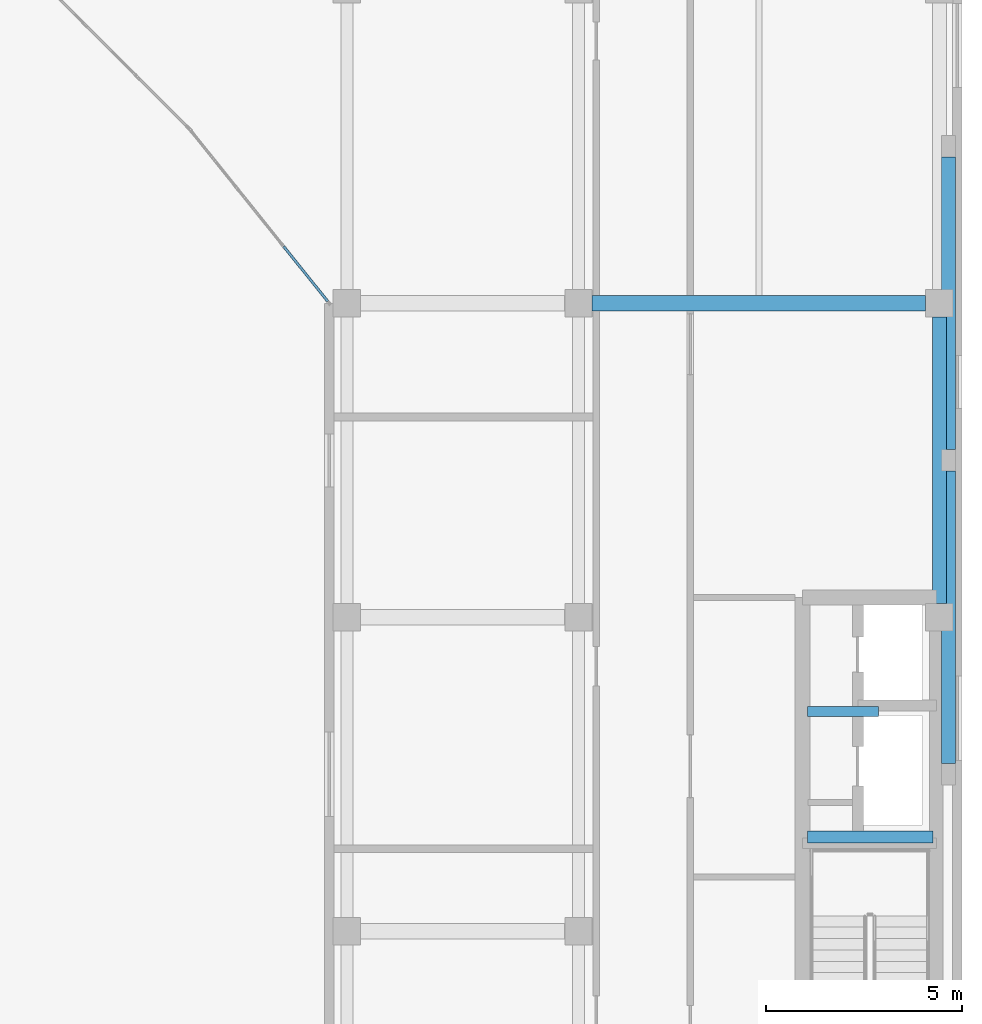
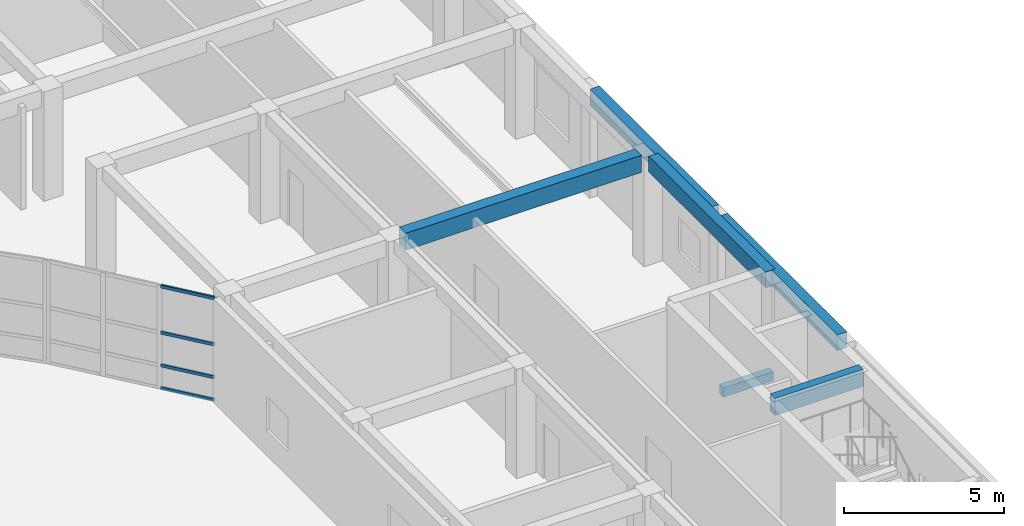
# One storey, part 54 of 114: 6 beams, 4 members, 1 element without a shape of its own.
"""IFC4 building model written with IfcOpenShell, lengths in metres."""

from ifc_helpers import new_model, si_unit, direction, frame, origin, origin_2d, place, context, subcontext, project, spatial, rectangle, hollow_rectangle, extrude, material, layer, layer_set, material_profile, profile_set, type_object, element, aggregate, save


model = new_model("IFC4")

# Units and contexts
model_context = context("Model", 3, precision=1e-05, world=origin(), true_north=direction((0.0, 1.0)))
body_context = subcontext(model_context, "Body", "Model", "MODEL_VIEW")
ifc_project = project(units=[si_unit("LENGTHUNIT", "METRE"), si_unit("AREAUNIT", "SQUARE_METRE"), si_unit("VOLUMEUNIT", "CUBIC_METRE"), si_unit("PLANEANGLEUNIT", "RADIAN"), si_unit("MASSUNIT", "GRAM", prefix="KILO")], contexts=[model_context])

# Site, building, storey
site_placement = place(None, origin())
site = spatial("IfcSite", under=ifc_project, at=site_placement, CompositionType="ELEMENT")
building_placement = place(site_placement, origin())
building = spatial("IfcBuilding", under=site, at=building_placement, Name="Keldmere Railside Commons", CompositionType="ELEMENT")
storey_placement = place(building_placement, origin())
storey = spatial("IfcBuildingStorey", under=building, at=storey_placement, Name="L00", CompositionType="ELEMENT", Elevation=0.0)

# Beams
ifc_material_1 = material(Name="Concrete H-35 (C35/45)", Category="concrete")
ifc_material_profile_1 = material_profile(ifc_material_1, rectangle(XDim=0.300048828125, YDim=0.64990234375, at=origin_2d()), Name="RC-300x650")
ifc_profile_set_1 = profile_set([ifc_material_profile_1], Name="Concrete H-35 (C35/45)")
beam_type_1 = type_object("IfcBeamType", Name="Core Coupling RC Beam 300x650", PredefinedType="BEAM", material=ifc_profile_set_1)
beam_1_placement = place(storey_placement, frame((180.18994140625, 74.39990234375, 3.8349609375), z_axis=(1.0, 0.0, 0.0), x_axis=(0.0, 1.0, 0.0)))
element("IfcBeam", 1, at=beam_1_placement, inside=storey, type_object=beam_type_1, Name="CB-1 BM-L00-2563", PredefinedType="BEAM", context=body_context, shape_type="SweptSolid", body=[
    extrude(rectangle(XDim=0.300048828125, YDim=0.64990234375, at=origin_2d()), origin(), (0.0, 0.0, 1.0), 3.18994140625),
])
ifc_material_2 = material(Name="Concrete H-30 (C30/37)", Category="concrete")
ifc_material_profile_2 = material_profile(ifc_material_2, rectangle(XDim=0.25, YDim=0.35009765625, at=origin_2d()), Name="RC-250x350")
ifc_profile_set_2 = profile_set([ifc_material_profile_2], Name="Concrete H-30 (C30/37)")
beam_type_2 = type_object("IfcBeamType", Name="Masonry Opening RC Lintel 250x350", PredefinedType="LINTEL", material=ifc_profile_set_2)
beam_2_placement = place(storey_placement, frame((180.18994140625, 77.60009765625, 2.425048828125), z_axis=(1.0, 0.0, 0.0), x_axis=(0.0, 1.0, 0.0)))
element("IfcBeam", 2, at=beam_2_placement, inside=storey, type_object=beam_type_2, Name="LNT-1 BM-L00-2564", PredefinedType="LINTEL", context=body_context, shape_type="SweptSolid", body=[
    extrude(rectangle(XDim=0.25, YDim=0.35009765625, at=origin_2d()), origin(), (0.0, 0.0, 1.0), 1.81005859375),
])
ifc_material_profile_3 = material_profile(ifc_material_2, rectangle(XDim=0.35009765625, YDim=0.60009765625, at=origin_2d()), Name="RC-350x600")
ifc_profile_set_3 = profile_set([ifc_material_profile_3], Name="Concrete H-30 (C30/37)")
beam_type_3 = type_object("IfcBeamType", Name="Residential Chord RC Beam 350x600", PredefinedType="BEAM", material=ifc_profile_set_3)
beam_3_placement = place(storey_placement, frame((183.550048828125, 80.35009765625, 3.860107421875), z_axis=(0.0, 1.0, 0.0), x_axis=(-1.0, 0.0, 0.0)))
element("IfcBeam", 3, at=beam_3_placement, inside=storey, type_object=beam_type_3, Name="BG-4 BM-L00-0670", PredefinedType="BEAM", context=body_context, shape_type="SweptSolid", body=[
    extrude(rectangle(XDim=0.35009765625, YDim=0.60009765625, at=origin_2d()), origin(), (0.0, 0.0, 1.0), 7.2998046875),
])
for number, where, z_axis, x_axis, name in (
    (4, (183.780029296875, 76.27490234375, 3.860107421875), (0.0, 1.0, 0.0), (-1.0, 0.0, 0.0), "BG-4 BM-L00-0675"),
    (5, (183.780029296875, 84.27490234375, 3.860107421875), (0.0, 1.0, 0.0), (-1.0, 0.0, 0.0), "BG-4 BM-L00-0676"),
):
    element("IfcBeam", number, at=place(storey_placement, frame(where, z_axis=z_axis, x_axis=x_axis)), inside=storey, type_object=beam_type_3, Name=name, PredefinedType="BEAM", context=body_context, shape_type="SweptSolid", body=[
        extrude(rectangle(XDim=0.35009765625, YDim=0.60009765625, at=origin_2d()), origin(), (0.0, 0.0, 1.0), 7.4501953125),
    ])
ifc_material_profile_4 = material_profile(ifc_material_2, rectangle(XDim=0.39990234375, YDim=0.64990234375, at=origin_2d()), Name="RC-400x650")
ifc_profile_set_4 = profile_set([ifc_material_profile_4], Name="Concrete H-30 (C30/37)")
beam_type_4 = type_object("IfcBeamType", Name="Residential Spine RC Girder 400x650", PredefinedType="BEAM", material=ifc_profile_set_4)
beam_4_placement = place(storey_placement, frame((174.699951171875, 88.0, 3.8349609375), z_axis=(1.0, 0.0, 0.0), x_axis=(0.0, 1.0, 0.0)))
element("IfcBeam", 6, at=beam_4_placement, inside=storey, type_object=beam_type_4, Name="BG-3 BM-L00-0490", PredefinedType="BEAM", context=body_context, shape_type="SweptSolid", body=[
    extrude(rectangle(XDim=0.39990234375, YDim=0.64990234375, at=origin_2d()), origin(), (0.0, 0.0, 1.0), 8.5),
])

# Curtain wall, members
ifc_material_3 = material(Name="Thermally Broken Aluminium", Category="aluminium")
ifc_layer = layer(ifc_material_3, 0.159912109375, Name="Residential Lounge Frontage CW 4600x3600")
ifc_layer_set = layer_set([ifc_layer], Name="Thermally Broken Aluminium")
curtain_wall_type = type_object("IfcCurtainWallType", Name="Residential Lounge Frontage CW 4600x3600", PredefinedType="NOTDEFINED", material=ifc_layer_set)
curtain_wall_placement = place(storey_placement, origin())
curtain_wall = element("IfcCurtainWall", 7, at=curtain_wall_placement, inside=storey, type_object=curtain_wall_type, Name="CW-11 CW-L00-159", PredefinedType="NOTDEFINED")
ifc_material_profile_5 = material_profile(ifc_material_3, hollow_rectangle(XDim=0.06494140625, YDim=0.1201171875, WallThickness=0.00390625, at=origin_2d()), Name="ALU-TRAN-65x120")
ifc_profile_set_5 = profile_set([ifc_material_profile_5], Name="Thermally Broken Aluminium")
member_type = type_object("IfcMemberType", Name="Unitised Curtain Wall Transom 65x120", PredefinedType="USERDEFINED", material=ifc_profile_set_5)
member_1_placement = place(storey_placement, frame((167.959228515625, 88.05078125, 0.032470703125), z_axis=(-0.625722553313, 0.780045694992, 0.0), x_axis=(-0.780045694992, -0.625722553313, 0.0)))
member_1 = element("IfcMember", 8, at=member_1_placement, type_object=member_type, Name="CW-11 transom 1.1", ObjectType="TRANSOM", PredefinedType="USERDEFINED", context=body_context, shape_type="SweptSolid", body=[
    extrude(hollow_rectangle(XDim=0.06494140625, YDim=0.1201171875, WallThickness=0.00390625, at=origin_2d()), origin(), (0.0, 0.0, 1.0), 1.795654296875),
])
member_2_placement = place(storey_placement, frame((167.959228515625, 88.05078125, 0.89990234375), z_axis=(-0.625722553313, 0.780045694992, 0.0), x_axis=(-0.780045694992, -0.625722553313, 0.0)))
member_2 = element("IfcMember", 9, at=member_2_placement, type_object=member_type, Name="CW-11 transom 1.2", ObjectType="TRANSOM", PredefinedType="USERDEFINED", context=body_context, shape_type="SweptSolid", body=[
    extrude(hollow_rectangle(XDim=0.06494140625, YDim=0.1201171875, WallThickness=0.00390625, at=origin_2d()), origin(), (0.0, 0.0, 1.0), 1.795654296875),
])
member_3_placement = place(storey_placement, frame((167.959228515625, 88.05078125, 2.14990234375), z_axis=(-0.625722553313, 0.780045694992, 0.0), x_axis=(-0.780045694992, -0.625722553313, 0.0)))
member_3 = element("IfcMember", 10, at=member_3_placement, type_object=member_type, Name="CW-11 transom 1.3", ObjectType="TRANSOM", PredefinedType="USERDEFINED", context=body_context, shape_type="SweptSolid", body=[
    extrude(hollow_rectangle(XDim=0.06494140625, YDim=0.1201171875, WallThickness=0.00390625, at=origin_2d()), origin(), (0.0, 0.0, 1.0), 1.795654296875),
])
member_4_placement = place(storey_placement, frame((167.959228515625, 88.05078125, 3.907470703125), z_axis=(-0.625722553313, 0.780045694992, 0.0), x_axis=(-0.780045694992, -0.625722553313, 0.0)))
member_4 = element("IfcMember", 11, at=member_4_placement, type_object=member_type, Name="CW-11 transom 1.4", ObjectType="TRANSOM", PredefinedType="USERDEFINED", context=body_context, shape_type="SweptSolid", body=[
    extrude(hollow_rectangle(XDim=0.06494140625, YDim=0.1201171875, WallThickness=0.00390625, at=origin_2d()), origin(), (0.0, 0.0, 1.0), 1.795654296875),
])
aggregate(curtain_wall, [member_1, member_2, member_3, member_4])

save(model, "model.ifc")
